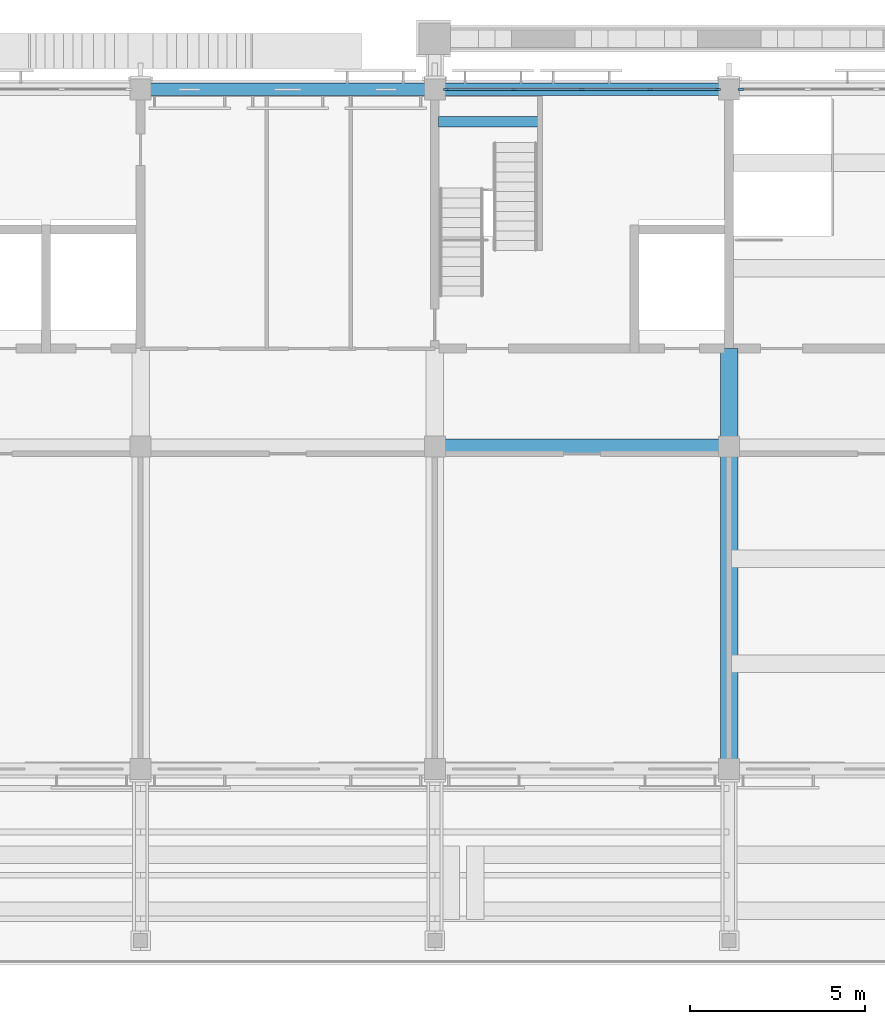
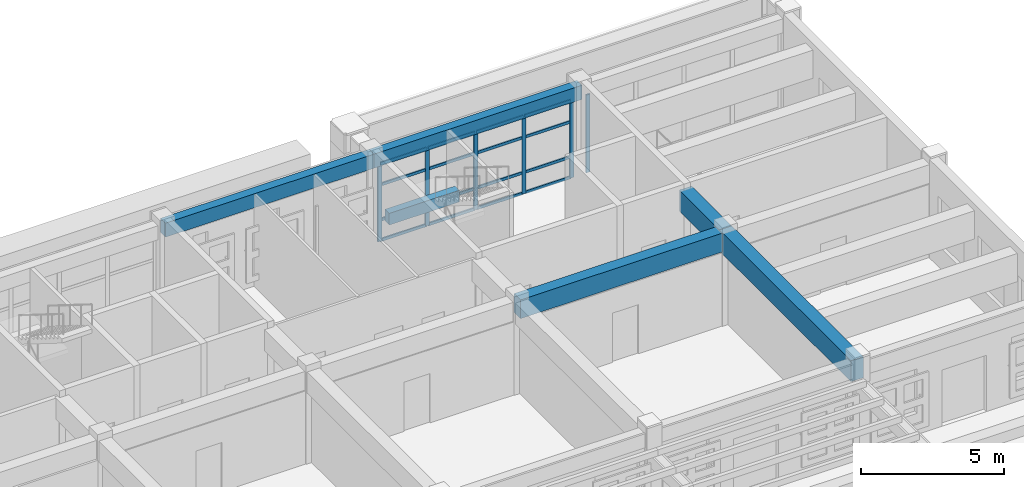
# One storey, part 13 of 68: 22 members, 6 beams, 2 elements without a shape of their own.
"""IFC4 building model written with IfcOpenShell, lengths in metres."""

from ifc_helpers import new_model, si_unit, direction, frame, origin, origin_2d, place, context, subcontext, project, spatial, rectangle, extrude, material, layer, layer_set, material_profile, profile_set, type_object, element, aggregate, save


model = new_model("IFC4")

# Units and contexts
model_context = context("Model", 3, precision=1e-05, world=origin(), true_north=direction((0.0, 1.0)))
body_context = subcontext(model_context, "Body", "Model", "MODEL_VIEW")
ifc_project = project(units=[si_unit("LENGTHUNIT", "METRE"), si_unit("AREAUNIT", "SQUARE_METRE"), si_unit("VOLUMEUNIT", "CUBIC_METRE"), si_unit("PLANEANGLEUNIT", "RADIAN"), si_unit("MASSUNIT", "GRAM", prefix="KILO")], contexts=[model_context])

# Site, building, storey
site_placement = place(None, origin())
site = spatial("IfcSite", under=ifc_project, at=site_placement, CompositionType="ELEMENT")
building_placement = place(site_placement, origin())
building = spatial("IfcBuilding", under=site, at=building_placement, Name="Wasatch Bagh Community Centre", CompositionType="ELEMENT")
storey_placement = place(building_placement, frame((0.0, 0.0, 8.39990234375)))
storey = spatial("IfcBuildingStorey", under=building, at=storey_placement, Name="L02", CompositionType="ELEMENT", Elevation=8.39990234375)

# Beams
ifc_material_1 = material(Name="Concrete C35", Category="concrete")
ifc_material_profile_1 = material_profile(ifc_material_1, rectangle(XDim=0.300048828125, YDim=0.5, at=origin_2d()), Name="RC 300x500")
ifc_profile_set_1 = profile_set([ifc_material_profile_1], Name="Concrete C35")
beam_type_1 = type_object("IfcBeamType", Name="LW RC 300x500", PredefinedType="BEAM", material=ifc_profile_set_1)
beam_1_placement = place(storey_placement, frame((122.905029296875, 96.8798828125, 1.650146484375), z_axis=(1.0, 0.0, 0.0), x_axis=(0.0, 1.0, 0.0)))
element("IfcBeam", 1, at=beam_1_placement, inside=storey, type_object=beam_type_1, Name="LW.lbeam.L02.C3", PredefinedType="BEAM", context=body_context, shape_type="SweptSolid", body=[
    extrude(rectangle(XDim=0.300048828125, YDim=0.5, at=origin_2d()), origin(), (0.0, 0.0, 1.0), 2.840087890625),
])
ifc_material_profile_2 = material_profile(ifc_material_1, rectangle(XDim=0.35009765625, YDim=0.60009765625, at=origin_2d()), Name="RC 350x600")
ifc_profile_set_2 = profile_set([ifc_material_profile_2], Name="Concrete C35")
beam_type_2 = type_object("IfcBeamType", Name="LW RC 350x600", PredefinedType="BEAM", material=ifc_profile_set_2)
beam_2_placement = place(storey_placement, frame((114.39990234375, 97.800048828125, 3.6201171875), z_axis=(1.0, 0.0, 0.0), x_axis=(0.0, 1.0, 0.0)))
element("IfcBeam", 2, at=beam_2_placement, inside=storey, type_object=beam_type_2, Name="W7-W8N", PredefinedType="BEAM", context=body_context, shape_type="SweptSolid", body=[
    extrude(rectangle(XDim=0.35009765625, YDim=0.60009765625, at=origin_2d()), origin(), (0.0, 0.0, 1.0), 8.400146484375),
])
beam_3_placement = place(storey_placement, frame((122.800048828125, 97.800048828125, 3.6201171875), z_axis=(1.0, 0.0, 0.0), x_axis=(0.0, 1.0, 0.0)))
element("IfcBeam", 3, at=beam_3_placement, inside=storey, type_object=beam_type_2, Name="W8-W9N", PredefinedType="BEAM", context=body_context, shape_type="SweptSolid", body=[
    extrude(rectangle(XDim=0.35009765625, YDim=0.60009765625, at=origin_2d()), origin(), (0.0, 0.0, 1.0), 8.39990234375),
])
ifc_material_profile_3 = material_profile(ifc_material_1, rectangle(XDim=0.449951171875, YDim=0.800048828125, at=origin_2d()), Name="RC 450x800")
ifc_profile_set_3 = profile_set([ifc_material_profile_3], Name="Concrete C35")
beam_type_3 = type_object("IfcBeamType", Name="LW RC 450x800", PredefinedType="BEAM", material=ifc_profile_set_3)
beam_4_placement = place(storey_placement, frame((122.800048828125, 87.60009765625, 3.52001953125), z_axis=(1.0, 0.0, 0.0), x_axis=(0.0, 1.0, 0.0)))
element("IfcBeam", 4, at=beam_4_placement, inside=storey, type_object=beam_type_3, Name="W8-W9M", PredefinedType="BEAM", context=body_context, shape_type="SweptSolid", body=[
    extrude(rectangle(XDim=0.449951171875, YDim=0.800048828125, at=origin_2d()), origin(), (0.0, 0.0, 1.0), 8.39990234375),
])
ifc_material_profile_4 = material_profile(ifc_material_1, rectangle(XDim=0.5, YDim=0.89990234375, at=origin_2d()), Name="RC 500x900")
ifc_profile_set_4 = profile_set([ifc_material_profile_4], Name="Concrete C35")
beam_type_4 = type_object("IfcBeamType", Name="LW RC 500x900", PredefinedType="BEAM", material=ifc_profile_set_4)
beam_5_placement = place(storey_placement, frame((131.199951171875, 78.39990234375, 3.47021484375), z_axis=(0.0, 1.0, 0.0), x_axis=(-1.0, 0.0, 0.0)))
element("IfcBeam", 5, at=beam_5_placement, inside=storey, type_object=beam_type_4, Name="W9S-M", PredefinedType="BEAM", context=body_context, shape_type="SweptSolid", body=[
    extrude(rectangle(XDim=0.5, YDim=0.89990234375, at=origin_2d()), origin(), (0.0, 0.0, 1.0), 9.2001953125),
])
beam_6_placement = place(storey_placement, frame((131.199951171875, 87.60009765625, 3.47021484375), z_axis=(0.0, 1.0, 0.0), x_axis=(-1.0, 0.0, 0.0)))
element("IfcBeam", 6, at=beam_6_placement, inside=storey, type_object=beam_type_4, Name="W9M-N", PredefinedType="BEAM", context=body_context, shape_type="SweptSolid", body=[
    extrude(rectangle(XDim=0.5, YDim=0.89990234375, at=origin_2d()), origin(), (0.0, 0.0, 1.0), 2.7998046875),
])

# Curtain wall, members
ifc_material_2 = material(Name="Aluminium curtain wall frame with low-iron glass", Category="aluminium")
ifc_layer = layer(ifc_material_2, 0.10009765625)
ifc_layer_set = layer_set([ifc_layer], Name="Aluminium curtain wall frame with low-iron glass")
curtain_wall_type = type_object("IfcCurtainWallType", Name="LW curtain wall 100", PredefinedType="NOTDEFINED", material=ifc_layer_set)
curtain_wall_1_placement = place(storey_placement, origin())
curtain_wall_1 = element("IfcCurtainWall", 7, at=curtain_wall_1_placement, inside=storey, type_object=curtain_wall_type, Name="Curtain wall 02.04", PredefinedType="NOTDEFINED")
ifc_material_3 = material(Name="Aluminium extrusion", Category="aluminium")
ifc_material_profile_5 = material_profile(ifc_material_3, rectangle(XDim=0.06005859375, YDim=0.159912109375, at=origin_2d()), Name="AL 60x160")
ifc_profile_set_5 = profile_set([ifc_material_profile_5], Name="Aluminium extrusion")
member_type_1 = type_object("IfcMemberType", Name="LW curtain wall mullion 60x160", PredefinedType="MULLION", material=ifc_profile_set_5)
member_1_placement = place(storey_placement, frame((123.1298828125, 97.800048828125, 0.0), z_axis=(0.0, 0.0, 1.0), x_axis=(0.0, 1.0, 0.0)))
member_1 = element("IfcMember", 8, at=member_1_placement, type_object=member_type_1, Name="LW-CW1 mullion 1", PredefinedType="MULLION", context=body_context, shape_type="SweptSolid", body=[
    extrude(rectangle(XDim=0.06005859375, YDim=0.159912109375, at=origin_2d()), origin(), (0.0, 0.0, 1.0), 3.320068359375),
])
member_2_placement = place(storey_placement, frame((125.050048828125, 97.800048828125, 0.0), z_axis=(0.0, 0.0, 1.0), x_axis=(0.0, 1.0, 0.0)))
member_2 = element("IfcMember", 9, at=member_2_placement, type_object=member_type_1, Name="LW-CW1 mullion 2", PredefinedType="MULLION", context=body_context, shape_type="SweptSolid", body=[
    extrude(rectangle(XDim=0.06005859375, YDim=0.159912109375, at=origin_2d()), origin(), (0.0, 0.0, 1.0), 3.320068359375),
])
member_3_placement = place(storey_placement, frame((127.0, 97.800048828125, 0.0), z_axis=(0.0, 0.0, 1.0), x_axis=(0.0, 1.0, 0.0)))
member_3 = element("IfcMember", 10, at=member_3_placement, type_object=member_type_1, Name="LW-CW1 mullion 3", PredefinedType="MULLION", context=body_context, shape_type="SweptSolid", body=[
    extrude(rectangle(XDim=0.06005859375, YDim=0.159912109375, at=origin_2d()), origin(), (0.0, 0.0, 1.0), 3.320068359375),
])
member_4_placement = place(storey_placement, frame((128.949951171875, 97.800048828125, 0.0), z_axis=(0.0, 0.0, 1.0), x_axis=(0.0, 1.0, 0.0)))
member_4 = element("IfcMember", 11, at=member_4_placement, type_object=member_type_1, Name="LW-CW1 mullion 4", PredefinedType="MULLION", context=body_context, shape_type="SweptSolid", body=[
    extrude(rectangle(XDim=0.06005859375, YDim=0.159912109375, at=origin_2d()), origin(), (0.0, 0.0, 1.0), 3.320068359375),
])
member_5_placement = place(storey_placement, frame((130.8701171875, 97.800048828125, 0.0), z_axis=(0.0, 0.0, 1.0), x_axis=(0.0, 1.0, 0.0)))
member_5 = element("IfcMember", 12, at=member_5_placement, type_object=member_type_1, Name="LW-CW1 mullion 5", PredefinedType="MULLION", context=body_context, shape_type="SweptSolid", body=[
    extrude(rectangle(XDim=0.06005859375, YDim=0.159912109375, at=origin_2d()), origin(), (0.0, 0.0, 1.0), 3.320068359375),
])

# Curtain wall, member
curtain_wall_2_placement = place(storey_placement, origin())
curtain_wall_2 = element("IfcCurtainWall", 13, at=curtain_wall_2_placement, inside=storey, type_object=curtain_wall_type, Name="Curtain wall 02.05", PredefinedType="NOTDEFINED")
member_6_placement = place(storey_placement, frame((131.530029296875, 97.800048828125, 0.0), z_axis=(0.0, 0.0, 1.0), x_axis=(0.0, 1.0, 0.0)))
member_6 = element("IfcMember", 14, at=member_6_placement, type_object=member_type_1, Name="LW-CW1 mullion 1", PredefinedType="MULLION", context=body_context, shape_type="SweptSolid", body=[
    extrude(rectangle(XDim=0.06005859375, YDim=0.159912109375, at=origin_2d()), origin(), (0.0, 0.0, 1.0), 3.320068359375),
])
aggregate(curtain_wall_2, [member_6])

# Member
ifc_material_profile_6 = material_profile(ifc_material_3, rectangle(XDim=0.06005859375, YDim=0.1201171875, at=origin_2d()), Name="AL 60x120")
ifc_profile_set_6 = profile_set([ifc_material_profile_6], Name="Aluminium extrusion")
member_type_2 = type_object("IfcMemberType", Name="LW curtain wall transom 60x120", PredefinedType="USERDEFINED", material=ifc_profile_set_6)
member_7_placement = place(storey_placement, frame((123.159912109375, 97.800048828125, 0.030029296875), z_axis=(1.0, 0.0, 0.0), x_axis=(0.0, 1.0, 0.0)))
member_7 = element("IfcMember", 15, at=member_7_placement, type_object=member_type_2, Name="LW-CW1 transom 1.1", ObjectType="TRANSOM", PredefinedType="USERDEFINED", context=body_context, shape_type="SweptSolid", body=[
    extrude(rectangle(XDim=0.06005859375, YDim=0.1201171875, at=origin_2d()), origin(), (0.0, 0.0, 1.0), 1.860107421875),
])

member_8_placement = place(storey_placement, frame((123.159912109375, 97.800048828125, 0.900146484375), z_axis=(1.0, 0.0, 0.0), x_axis=(0.0, 1.0, 0.0)))
member_8 = element("IfcMember", 16, at=member_8_placement, type_object=member_type_2, Name="LW-CW1 transom 1.2", ObjectType="TRANSOM", PredefinedType="USERDEFINED", context=body_context, shape_type="SweptSolid", body=[
    extrude(rectangle(XDim=0.06005859375, YDim=0.1201171875, at=origin_2d()), origin(), (0.0, 0.0, 1.0), 1.860107421875),
])

member_9_placement = place(storey_placement, frame((123.159912109375, 97.800048828125, 2.400146484375), z_axis=(1.0, 0.0, 0.0), x_axis=(0.0, 1.0, 0.0)))
member_9 = element("IfcMember", 17, at=member_9_placement, type_object=member_type_2, Name="LW-CW1 transom 1.3", ObjectType="TRANSOM", PredefinedType="USERDEFINED", context=body_context, shape_type="SweptSolid", body=[
    extrude(rectangle(XDim=0.06005859375, YDim=0.1201171875, at=origin_2d()), origin(), (0.0, 0.0, 1.0), 1.860107421875),
])

member_10_placement = place(storey_placement, frame((123.159912109375, 97.800048828125, 3.2900390625), z_axis=(1.0, 0.0, 0.0), x_axis=(0.0, 1.0, 0.0)))
member_10 = element("IfcMember", 18, at=member_10_placement, type_object=member_type_2, Name="LW-CW1 transom 1.4", ObjectType="TRANSOM", PredefinedType="USERDEFINED", context=body_context, shape_type="SweptSolid", body=[
    extrude(rectangle(XDim=0.06005859375, YDim=0.1201171875, at=origin_2d()), origin(), (0.0, 0.0, 1.0), 1.860107421875),
])

member_11_placement = place(storey_placement, frame((125.080078125, 97.800048828125, 0.030029296875), z_axis=(1.0, 0.0, 0.0), x_axis=(0.0, 1.0, 0.0)))
member_11 = element("IfcMember", 19, at=member_11_placement, type_object=member_type_2, Name="LW-CW1 transom 2.1", ObjectType="TRANSOM", PredefinedType="USERDEFINED", context=body_context, shape_type="SweptSolid", body=[
    extrude(rectangle(XDim=0.06005859375, YDim=0.1201171875, at=origin_2d()), origin(), (0.0, 0.0, 1.0), 1.889892578125),
])

member_12_placement = place(storey_placement, frame((125.080078125, 97.800048828125, 0.900146484375), z_axis=(1.0, 0.0, 0.0), x_axis=(0.0, 1.0, 0.0)))
member_12 = element("IfcMember", 20, at=member_12_placement, type_object=member_type_2, Name="LW-CW1 transom 2.2", ObjectType="TRANSOM", PredefinedType="USERDEFINED", context=body_context, shape_type="SweptSolid", body=[
    extrude(rectangle(XDim=0.06005859375, YDim=0.1201171875, at=origin_2d()), origin(), (0.0, 0.0, 1.0), 1.889892578125),
])

member_13_placement = place(storey_placement, frame((125.080078125, 97.800048828125, 2.400146484375), z_axis=(1.0, 0.0, 0.0), x_axis=(0.0, 1.0, 0.0)))
member_13 = element("IfcMember", 21, at=member_13_placement, type_object=member_type_2, Name="LW-CW1 transom 2.3", ObjectType="TRANSOM", PredefinedType="USERDEFINED", context=body_context, shape_type="SweptSolid", body=[
    extrude(rectangle(XDim=0.06005859375, YDim=0.1201171875, at=origin_2d()), origin(), (0.0, 0.0, 1.0), 1.889892578125),
])

member_14_placement = place(storey_placement, frame((125.080078125, 97.800048828125, 3.2900390625), z_axis=(1.0, 0.0, 0.0), x_axis=(0.0, 1.0, 0.0)))
member_14 = element("IfcMember", 22, at=member_14_placement, type_object=member_type_2, Name="LW-CW1 transom 2.4", ObjectType="TRANSOM", PredefinedType="USERDEFINED", context=body_context, shape_type="SweptSolid", body=[
    extrude(rectangle(XDim=0.06005859375, YDim=0.1201171875, at=origin_2d()), origin(), (0.0, 0.0, 1.0), 1.889892578125),
])

member_15_placement = place(storey_placement, frame((127.030029296875, 97.800048828125, 0.030029296875), z_axis=(1.0, 0.0, 0.0), x_axis=(0.0, 1.0, 0.0)))
member_15 = element("IfcMember", 23, at=member_15_placement, type_object=member_type_2, Name="LW-CW1 transom 3.1", ObjectType="TRANSOM", PredefinedType="USERDEFINED", context=body_context, shape_type="SweptSolid", body=[
    extrude(rectangle(XDim=0.06005859375, YDim=0.1201171875, at=origin_2d()), origin(), (0.0, 0.0, 1.0), 1.889892578125),
])

member_16_placement = place(storey_placement, frame((127.030029296875, 97.800048828125, 0.900146484375), z_axis=(1.0, 0.0, 0.0), x_axis=(0.0, 1.0, 0.0)))
member_16 = element("IfcMember", 24, at=member_16_placement, type_object=member_type_2, Name="LW-CW1 transom 3.2", ObjectType="TRANSOM", PredefinedType="USERDEFINED", context=body_context, shape_type="SweptSolid", body=[
    extrude(rectangle(XDim=0.06005859375, YDim=0.1201171875, at=origin_2d()), origin(), (0.0, 0.0, 1.0), 1.889892578125),
])

member_17_placement = place(storey_placement, frame((127.030029296875, 97.800048828125, 2.400146484375), z_axis=(1.0, 0.0, 0.0), x_axis=(0.0, 1.0, 0.0)))
member_17 = element("IfcMember", 25, at=member_17_placement, type_object=member_type_2, Name="LW-CW1 transom 3.3", ObjectType="TRANSOM", PredefinedType="USERDEFINED", context=body_context, shape_type="SweptSolid", body=[
    extrude(rectangle(XDim=0.06005859375, YDim=0.1201171875, at=origin_2d()), origin(), (0.0, 0.0, 1.0), 1.889892578125),
])

member_18_placement = place(storey_placement, frame((127.030029296875, 97.800048828125, 3.2900390625), z_axis=(1.0, 0.0, 0.0), x_axis=(0.0, 1.0, 0.0)))
member_18 = element("IfcMember", 26, at=member_18_placement, type_object=member_type_2, Name="LW-CW1 transom 3.4", ObjectType="TRANSOM", PredefinedType="USERDEFINED", context=body_context, shape_type="SweptSolid", body=[
    extrude(rectangle(XDim=0.06005859375, YDim=0.1201171875, at=origin_2d()), origin(), (0.0, 0.0, 1.0), 1.889892578125),
])

member_19_placement = place(storey_placement, frame((128.97998046875, 97.800048828125, 0.030029296875), z_axis=(1.0, 0.0, 0.0), x_axis=(0.0, 1.0, 0.0)))
member_19 = element("IfcMember", 27, at=member_19_placement, type_object=member_type_2, Name="LW-CW1 transom 4.1", ObjectType="TRANSOM", PredefinedType="USERDEFINED", context=body_context, shape_type="SweptSolid", body=[
    extrude(rectangle(XDim=0.06005859375, YDim=0.1201171875, at=origin_2d()), origin(), (0.0, 0.0, 1.0), 1.860107421875),
])

member_20_placement = place(storey_placement, frame((128.97998046875, 97.800048828125, 0.900146484375), z_axis=(1.0, 0.0, 0.0), x_axis=(0.0, 1.0, 0.0)))
member_20 = element("IfcMember", 28, at=member_20_placement, type_object=member_type_2, Name="LW-CW1 transom 4.2", ObjectType="TRANSOM", PredefinedType="USERDEFINED", context=body_context, shape_type="SweptSolid", body=[
    extrude(rectangle(XDim=0.06005859375, YDim=0.1201171875, at=origin_2d()), origin(), (0.0, 0.0, 1.0), 1.860107421875),
])

member_21_placement = place(storey_placement, frame((128.97998046875, 97.800048828125, 2.400146484375), z_axis=(1.0, 0.0, 0.0), x_axis=(0.0, 1.0, 0.0)))
member_21 = element("IfcMember", 29, at=member_21_placement, type_object=member_type_2, Name="LW-CW1 transom 4.3", ObjectType="TRANSOM", PredefinedType="USERDEFINED", context=body_context, shape_type="SweptSolid", body=[
    extrude(rectangle(XDim=0.06005859375, YDim=0.1201171875, at=origin_2d()), origin(), (0.0, 0.0, 1.0), 1.860107421875),
])

member_22_placement = place(storey_placement, frame((128.97998046875, 97.800048828125, 3.2900390625), z_axis=(1.0, 0.0, 0.0), x_axis=(0.0, 1.0, 0.0)))
member_22 = element("IfcMember", 30, at=member_22_placement, type_object=member_type_2, Name="LW-CW1 transom 4.4", ObjectType="TRANSOM", PredefinedType="USERDEFINED", context=body_context, shape_type="SweptSolid", body=[
    extrude(rectangle(XDim=0.06005859375, YDim=0.1201171875, at=origin_2d()), origin(), (0.0, 0.0, 1.0), 1.860107421875),
])

aggregate(curtain_wall_1, [member_1, member_2, member_3, member_4, member_5, member_7, member_8, member_9, member_10, member_11, member_12, member_13, member_14, member_15, member_16, member_17, member_18, member_19, member_20, member_21, member_22])

save(model, "model.ifc")
